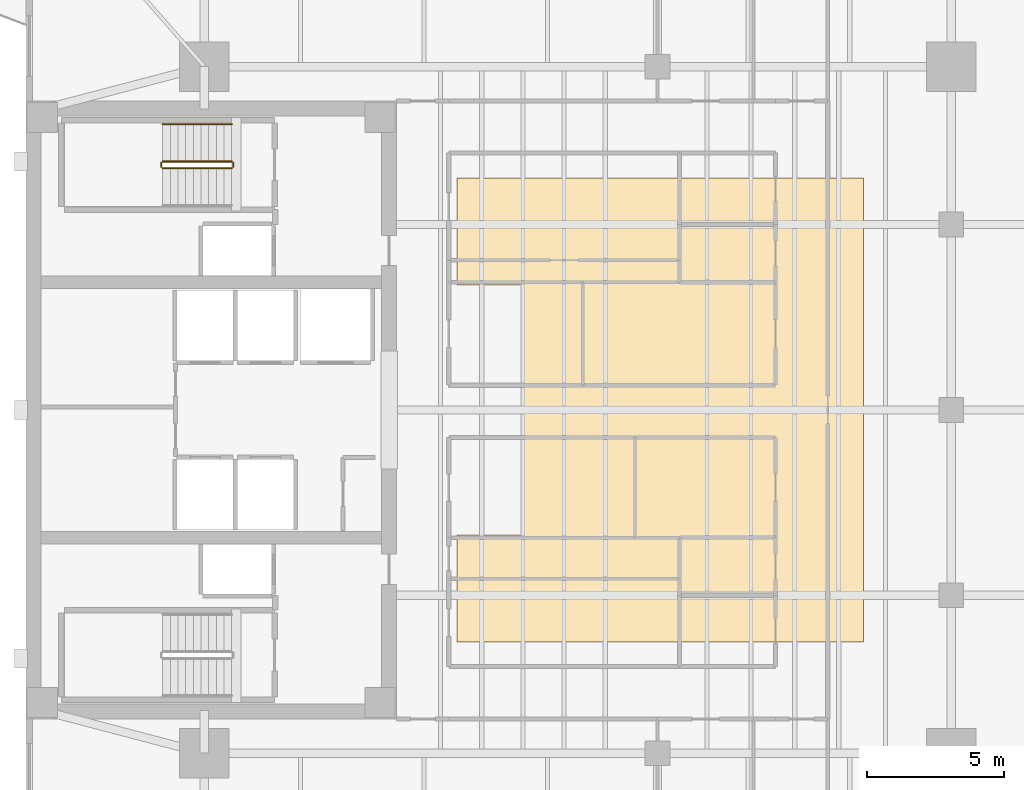
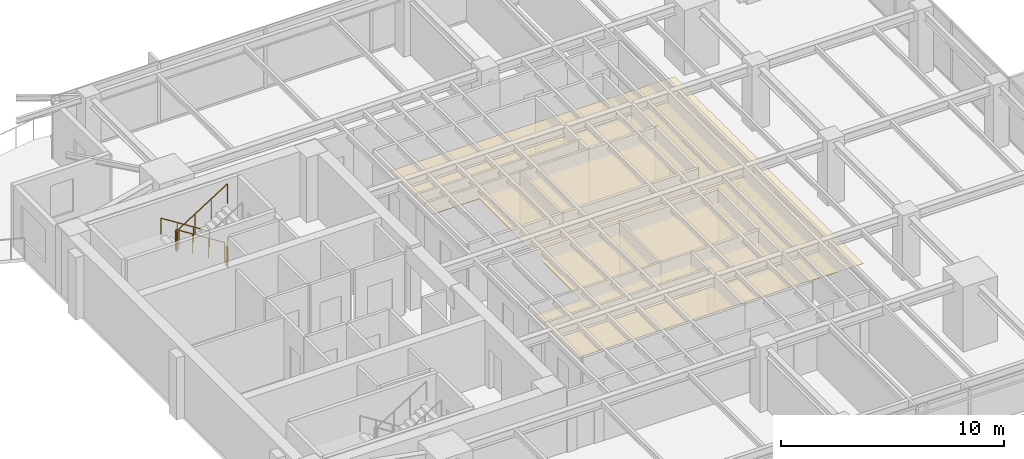
# One storey, part 13 of 14: 5 railings, 1 covering.
"""IFC4 building model written with IfcOpenShell, lengths in metres."""

from ifc_helpers import new_model, si_unit, direction, frame, origin, origin_2d, place, context, subcontext, project, spatial, polyline, circle, outline, extrude, material, layer, layer_set, type_object, element, save


model = new_model("IFC4")

# Units and contexts
model_context = context("Model", 3, precision=1e-05, world=origin(), true_north=direction((0.0, 1.0)))
body_context = subcontext(model_context, "Body", "Model", "MODEL_VIEW")
ifc_project = project(units=[si_unit("LENGTHUNIT", "METRE"), si_unit("AREAUNIT", "SQUARE_METRE"), si_unit("VOLUMEUNIT", "CUBIC_METRE"), si_unit("PLANEANGLEUNIT", "RADIAN"), si_unit("MASSUNIT", "GRAM", prefix="KILO")], contexts=[model_context])

# Site, building, storey
site_placement = place(None, origin())
site = spatial("IfcSite", under=ifc_project, at=site_placement, CompositionType="ELEMENT")
building_placement = place(site_placement, origin())
building = spatial("IfcBuilding", under=site, at=building_placement, Name="Kinhvarn Gate Tower", CompositionType="ELEMENT")
storey_placement = place(building_placement, frame((0.0, 0.0, 212.89990234375)))
storey = spatial("IfcBuildingStorey", under=building, at=storey_placement, Name="L56", CompositionType="ELEMENT", Elevation=212.89990234375)

# Covering
ifc_material_1 = material(Name="Mineral-fibre acoustic ceiling tile")
ifc_layer = layer(ifc_material_1, 0.02001953125)
ifc_layer_set = layer_set([ifc_layer], Name="Mineral-fibre acoustic ceiling tile")
covering_type = type_object("IfcCoveringType", Name="COV-CEIL-20", PredefinedType="CEILING", material=ifc_layer_set)
covering_placement = place(storey_placement, frame((0.0, 0.0, 2.650146484375)))
element("IfcCovering", 1, at=covering_placement, inside=storey, type_object=covering_type, Name="Suspended Acoustic Ceiling Tile (L56-1)", PredefinedType="CEILING", context=body_context, shape_type="SweptSolid", body=[
    extrude(outline(polyline([(35.0, 33.699951171875), (35.0, 16.800048828125), (20.199951171875, 16.800048828125), (20.199951171875, 20.699951171875), (22.60009765625, 20.699951171875), (22.60009765625, 29.800048828125), (20.199951171875, 29.800048828125), (20.199951171875, 33.699951171875), (35.0, 33.699951171875)])), origin(), (0.0, 0.0, 1.0), 0.02001953125),
])

# Railings
ifc_material_2 = material(Name="Steel S355", Category="steel")
railing_type_1 = type_object("IfcRailingType", Name="RL-ST-GRD", PredefinedType="BALUSTRADE", material=ifc_material_2)
railing_1_placement = place(storey_placement, frame((12.0, 34.300048828125, 0.177490234375)))
element("IfcRailing", 2, at=railing_1_placement, inside=storey, type_object=railing_type_1, Name="L56 ST2 stair guard 1", PredefinedType="BALUSTRADE", context=body_context, shape_type="SweptSolid", body=[
    extrude(circle(Radius=0.02392578125, at=origin_2d()), frame((0.0, 0.0, 1.076171875), z_axis=(-0.84456994832, 0.0, 0.535445237532), x_axis=(0.0, -1.0, 0.0)), (0.0, 0.0, 1.0), 2.98388671875),
    extrude(circle(Radius=0.02099609375, at=origin_2d()), origin(), (0.0, 0.0, 1.0), 1.052001953125),
    extrude(circle(Radius=0.02099609375, at=origin_2d()), frame((-0.840087890625, 0.0, 0.532470703125)), (0.0, 0.0, 1.0), 1.052001953125),
    extrude(circle(Radius=0.02099609375, at=origin_2d()), frame((-1.679931640625, 0.0, 1.065185546875)), (0.0, 0.0, 1.0), 1.052001953125),
    extrude(circle(Radius=0.02099609375, at=origin_2d()), frame((-2.52001953125, 0.0, 1.59765625)), (0.0, 0.0, 1.0), 1.052001953125),
])
railing_2_placement = place(storey_placement, frame((9.429931640625, 34.25, 1.775146484375)))
element("IfcRailing", 3, at=railing_2_placement, inside=storey, type_object=railing_type_1, Name="L56 ST2 stair guard 2", PredefinedType="BALUSTRADE", context=body_context, shape_type="SweptSolid", body=[
    extrude(circle(Radius=0.02392578125, at=origin_2d()), frame((0.0, 0.0, 1.076171875), z_axis=(0.0, -1.0, 0.0), x_axis=(1.0, 0.0, 0.0)), (0.0, 0.0, 1.0), 0.14990234375),
    extrude(circle(Radius=0.02099609375, at=origin_2d()), origin(), (0.0, 0.0, 1.0), 1.052001953125),
    extrude(circle(Radius=0.02099609375, at=origin_2d()), frame((0.0, -0.14990234375, 0.0)), (0.0, 0.0, 1.0), 1.052001953125),
])
railing_3_placement = place(storey_placement, frame((9.47998046875, 34.050048828125, 1.95263671875)))
element("IfcRailing", 4, at=railing_3_placement, inside=storey, type_object=railing_type_1, Name="L56 ST2 stair guard 3", PredefinedType="BALUSTRADE", context=body_context, shape_type="SweptSolid", body=[
    extrude(circle(Radius=0.02392578125, at=origin_2d()), frame((0.0, 0.0, 1.076171875), z_axis=(0.84460694969, 0.0, 0.535386869969), x_axis=(0.0, 1.0, 0.0)), (0.0, 0.0, 1.0), 2.983642578125),
    extrude(circle(Radius=0.02099609375, at=origin_2d()), origin(), (0.0, 0.0, 1.0), 1.052001953125),
    extrude(circle(Radius=0.02099609375, at=origin_2d()), frame((0.840087890625, 0.0, 0.532470703125)), (0.0, 0.0, 1.0), 1.052001953125),
    extrude(circle(Radius=0.02099609375, at=origin_2d()), frame((1.679931640625, 0.0, 1.06494140625)), (0.0, 0.0, 1.0), 1.052001953125),
    extrude(circle(Radius=0.02099609375, at=origin_2d()), frame((2.52001953125, 0.0, 1.597412109375)), (0.0, 0.0, 1.0), 1.052001953125),
])
railing_4_placement = place(storey_placement, frame((12.050048828125, 34.25, 0.0)))
element("IfcRailing", 5, at=railing_4_placement, inside=storey, type_object=railing_type_1, Name="L56 ST2 stair guard 4", PredefinedType="BALUSTRADE", context=body_context, shape_type="SweptSolid", body=[
    extrude(circle(Radius=0.02392578125, at=origin_2d()), frame((0.0, 0.0, 1.076171875), z_axis=(0.0, -1.0, 0.0), x_axis=(1.0, 0.0, 0.0)), (0.0, 0.0, 1.0), 0.14990234375),
    extrude(circle(Radius=0.02099609375, at=origin_2d()), origin(), (0.0, 0.0, 1.0), 1.052001953125),
    extrude(circle(Radius=0.02099609375, at=origin_2d()), frame((0.0, -0.14990234375, 0.0)), (0.0, 0.0, 1.0), 1.052001953125),
])
railing_type_2 = type_object("IfcRailingType", Name="RL-ST-HND", PredefinedType="HANDRAIL", material=ifc_material_2)
railing_5_placement = place(storey_placement, frame((12.0, 35.64990234375, 0.177490234375)))
element("IfcRailing", 6, at=railing_5_placement, inside=storey, type_object=railing_type_2, Name="L56 ST2 stair handrail 1", PredefinedType="HANDRAIL", context=body_context, shape_type="SweptSolid", body=[
    extrude(circle(Radius=0.02392578125, at=origin_2d()), frame((0.0, 0.0, 0.8759765625), z_axis=(-0.84456994832, 0.0, 0.535445237532), x_axis=(0.0, -1.0, 0.0)), (0.0, 0.0, 1.0), 2.98388671875),
    extrude(circle(Radius=0.02099609375, at=origin_2d()), origin(), (0.0, 0.0, 1.0), 0.851806640625),
    extrude(circle(Radius=0.02099609375, at=origin_2d()), frame((-0.840087890625, 0.0, 0.532470703125)), (0.0, 0.0, 1.0), 0.851806640625),
    extrude(circle(Radius=0.02099609375, at=origin_2d()), frame((-1.679931640625, 0.0, 1.065185546875)), (0.0, 0.0, 1.0), 0.851806640625),
    extrude(circle(Radius=0.02099609375, at=origin_2d()), frame((-2.52001953125, 0.0, 1.59765625)), (0.0, 0.0, 1.0), 0.851806640625),
])

save(model, "model.ifc")
